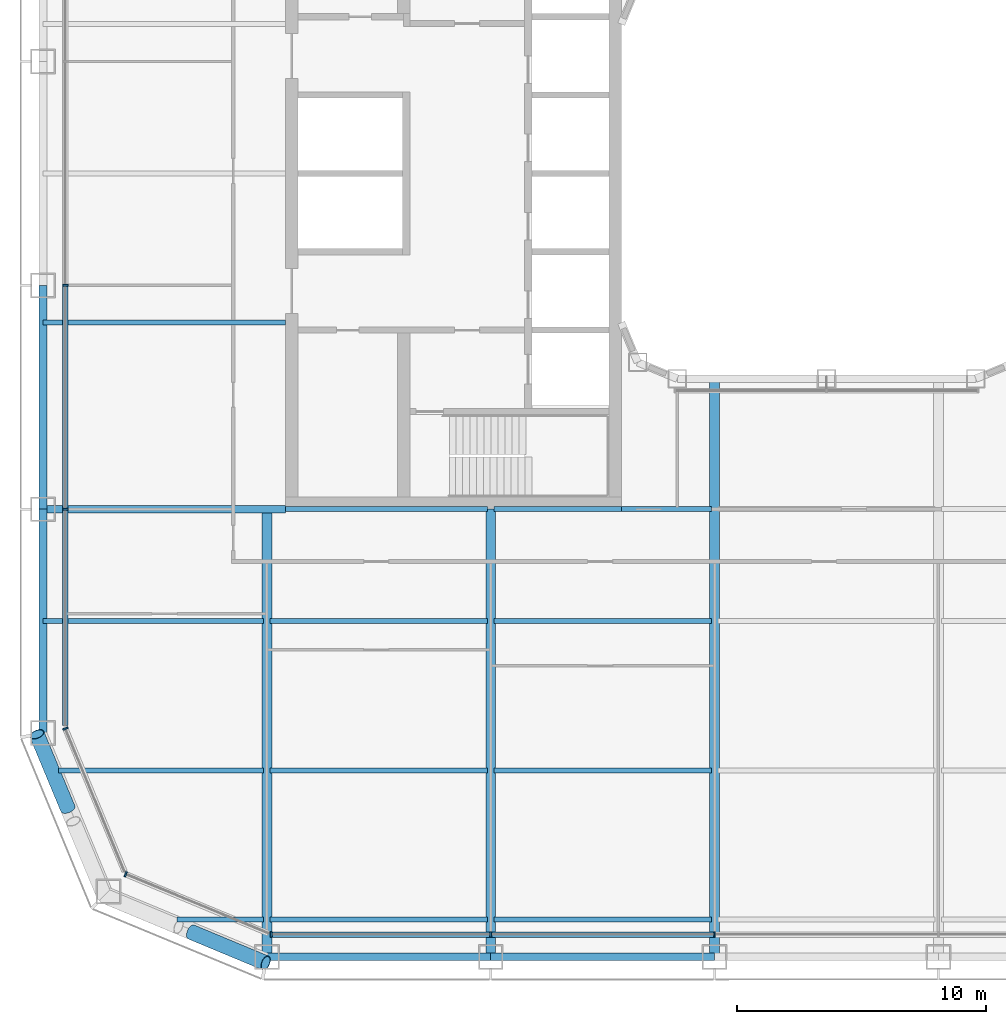
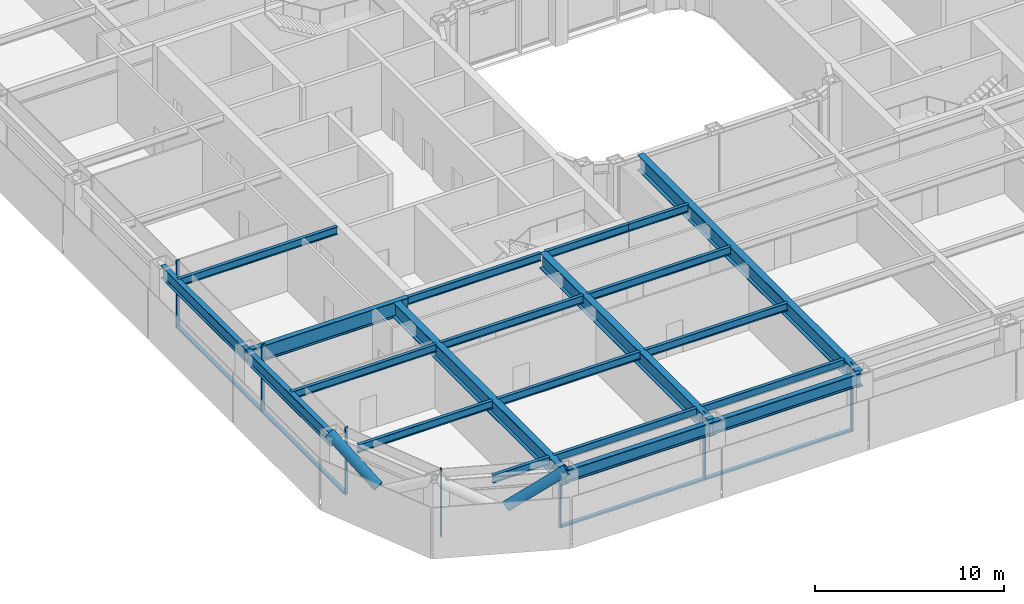
# One storey, part 2 of 30: 21 beams, 13 members, 4 elements without a shape of their own.
"""IFC4 building model written with IfcOpenShell, lengths in metres."""

import ifcopenshell
import ifcopenshell.guid

model = None  # the IFC model being written
_history = None  # IfcOwnerHistory: only IFC2X3 demands one
_inside = {}  # id of a spatial element -> (the spatial element, [elements in it])
_under = {}  # id of a project, library or spatial element -> (it, [spatial elements below it])
_declared = {}  # id of a project -> (the project, [libraries it declares])
_typed = {}  # id of a type object -> (the type object, [elements of that type])
_made_of = {}  # id of a material, layer set ... -> (it, [elements and type objects made of it])


def new_model(schema):
    """Start an empty IFC model of exactly this schema.

    Asked for "IFC4X3", IfcOpenShell would pick the latest addendum, in which some entities
    have other attributes; the version numbers below select the first issue.
    IFC2X3 requires an IfcOwnerHistory on every rooted entity: one is made here for all.
    """
    global model, _history
    if schema == "IFC4X3":
        model = ifcopenshell.file(schema_version=(4, 3, 0, 0))
    else:
        model = ifcopenshell.file(schema=schema)
    _inside.clear()
    _under.clear()
    _declared.clear()
    _typed.clear()
    _made_of.clear()
    _history = None
    if model.schema == "IFC2X3":
        org = make("IfcOrganization", Name="unknown")
        user = make(
            "IfcPersonAndOrganization",
            ThePerson=make("IfcPerson", FamilyName="unknown"),
            TheOrganization=org,
        )
        app = make(
            "IfcApplication",
            ApplicationDeveloper=org,
            Version="unknown",
            ApplicationFullName="unknown",
            ApplicationIdentifier="unknown",
        )
        _history = make(
            "IfcOwnerHistory",
            OwningUser=user,
            OwningApplication=app,
            ChangeAction="ADDED",
            CreationDate=0,
        )
    return model


def make(cls, **values):
    """One entity of the class cls with the attributes given. An attribute that is None is left unset."""
    return model.create_entity(
        cls, **{name: value for name, value in values.items() if value is not None}
    )


def rooted(cls, **values):
    """An entity with a GlobalId (a new one), such as an element, a storey or a relation."""
    return make(cls, GlobalId=ifcopenshell.guid.new(), OwnerHistory=_history, **values)


def si_unit(unit_type, name, prefix=None):
    """IfcSIUnit, for example si_unit("LENGTHUNIT", "METRE", prefix="MILLI")."""
    return make("IfcSIUnit", UnitType=unit_type, Prefix=prefix, Name=name)


def assignment(units):
    """IfcUnitAssignment: the units of a project."""
    return None if units is None else make("IfcUnitAssignment", Units=units)


def point(xyz):
    """IfcCartesianPoint."""
    return None if xyz is None else make("IfcCartesianPoint", Coordinates=xyz)


def direction(xyz):
    """IfcDirection."""
    return None if xyz is None else make("IfcDirection", DirectionRatios=xyz)


def frame(location, z_axis=None, x_axis=None):
    """IfcAxis2Placement3D, a coordinate frame: its origin and axes. An axis left out is left unset."""
    return make(
        "IfcAxis2Placement3D",
        Location=point(location),
        Axis=direction(z_axis),
        RefDirection=direction(x_axis),
    )


def frame_2d(location, x_axis=None):
    """IfcAxis2Placement2D, a coordinate frame in the plane: its origin and x axis."""
    return make(
        "IfcAxis2Placement2D", Location=point(location), RefDirection=direction(x_axis)
    )


def origin():
    """The frame at (0, 0, 0) with its axes left unset."""
    return frame((0.0, 0.0, 0.0))


def origin_2d():
    """The frame at (0, 0) in the plane with its x axis left unset."""
    return frame_2d((0.0, 0.0))


def place(relative_to, where):
    """IfcLocalPlacement: puts the frame where relative to a parent placement (None: the world)."""
    return make(
        "IfcLocalPlacement", PlacementRelTo=relative_to, RelativePlacement=where
    )


def context(
    kind, dimensions, precision=None, world=None, true_north=None, identifier=None
):
    """IfcGeometricRepresentationContext, for example the 3D "Model" context."""
    return make(
        "IfcGeometricRepresentationContext",
        ContextIdentifier=identifier,
        ContextType=kind,
        CoordinateSpaceDimension=dimensions,
        Precision=precision,
        WorldCoordinateSystem=world,
        TrueNorth=true_north,
    )


def subcontext(parent, identifier, kind, view, scale=None):
    """IfcGeometricRepresentationSubContext, for example "Body" below "Model"."""
    return make(
        "IfcGeometricRepresentationSubContext",
        ContextIdentifier=identifier,
        ContextType=kind,
        ParentContext=parent,
        TargetScale=scale,
        TargetView=view,
    )


def project(units=None, contexts=None):
    """IfcProject with its units and contexts."""
    return rooted(
        "IfcProject",
        Name="project",
        RepresentationContexts=contexts,
        UnitsInContext=assignment(units),
    )


def spatial(cls, under=None, at=None, **own):
    """A site, building, storey or space (cls), placed at a placement, below another one or the project."""
    s = rooted(cls, ObjectPlacement=at, **own)
    if under is not None:
        _under.setdefault(under.id(), (under, []))[1].append(s)
    return s


def profile(cls, at=None, kind="AREA", **sizes):
    """A parametric profile (cls). Its sizes go by their IFC names, for example OverallWidth=200.0."""
    return make(cls, ProfileType=kind, Position=at, **sizes)


def rectangle(**sizes):
    """IfcRectangleProfileDef."""
    return profile("IfcRectangleProfileDef", **sizes)


def hollow_circle(**sizes):
    """IfcCircleHollowProfileDef."""
    return profile("IfcCircleHollowProfileDef", **sizes)


def i_section(**sizes):
    """IfcIShapeProfileDef."""
    return profile("IfcIShapeProfileDef", **sizes)


def extrude(swept, where, along, depth):
    """IfcExtrudedAreaSolid: the profile swept, set in the frame where, extruded along a direction by depth."""
    return make(
        "IfcExtrudedAreaSolid",
        SweptArea=swept,
        Position=where,
        ExtrudedDirection=direction(along),
        Depth=depth,
    )


def shape(context_of_items, identifier, shape_type, items):
    """IfcShapeRepresentation: the items that make up one representation, for example the "Body"."""
    return make(
        "IfcShapeRepresentation",
        ContextOfItems=context_of_items,
        RepresentationIdentifier=identifier,
        RepresentationType=shape_type,
        Items=items,
    )


def material(Name=None, Category=None):
    """IfcMaterial."""
    return make("IfcMaterial", Name=Name, Category=Category)


def layer(
    of_material, thickness, ventilated=None, Name=None, Category=None, Priority=None
):
    """IfcMaterialLayer: one layer of a wall or slab, of a material (None: an air gap)."""
    return make(
        "IfcMaterialLayer",
        Material=of_material,
        LayerThickness=thickness,
        IsVentilated=ventilated,
        Name=Name,
        Category=Category,
        Priority=Priority,
    )


def layer_set(layers, Name=None):
    """IfcMaterialLayerSet."""
    return make("IfcMaterialLayerSet", MaterialLayers=layers, LayerSetName=Name)


def material_profile(
    of_material, cross_section, Name=None, Category=None, Priority=None
):
    """IfcMaterialProfile: a cross section and its material."""
    return make(
        "IfcMaterialProfile",
        Name=Name,
        Material=of_material,
        Profile=cross_section,
        Priority=Priority,
        Category=Category,
    )


def profile_set(profiles, Name=None, composite=None):
    """IfcMaterialProfileSet."""
    return make(
        "IfcMaterialProfileSet",
        Name=Name,
        MaterialProfiles=profiles,
        CompositeProfile=composite,
    )


def made_of(thing, what):
    """Note that an element or type object is made of a material, layer set ...; save() writes the relation."""
    if what is not None:
        _made_of.setdefault(what.id(), (what, []))[1].append(thing)
    return thing


def type_object(cls, material=None, **own):
    """A type object (cls), such as IfcWallType, which elements share."""
    return made_of(rooted(cls, **own), material)


def element(
    cls,
    number,
    at=None,
    inside=None,
    cuts=None,
    type_object=None,
    material=None,
    context=None,
    identifier="Body",
    shape_type=None,
    held_by="IfcProductDefinitionShape",
    body=None,
    shapes=None,
    **own,
):
    """One element of the class cls, such as IfcWall. Its Tag is "e" and its number.

    at: its placement. inside: the storey or other place that contains it. cuts: it is an
    opening in that element (IfcRelVoidsElement). A single representation is given by context,
    identifier, shape_type and body (its items); several are given by shapes. held_by: the class
    of the entity that holds the representations. save() writes the other relations.
    """
    e = rooted(cls, Tag="e%d" % number, ObjectPlacement=at, **own)
    if body is not None:
        shapes = [shape(context, identifier, shape_type, body)]
    if shapes is not None:
        e.Representation = make(held_by, Representations=shapes)
    if inside is not None:
        _inside.setdefault(inside.id(), (inside, []))[1].append(e)
    if cuts is not None:
        rooted(
            "IfcRelVoidsElement", RelatingBuildingElement=cuts, RelatedOpeningElement=e
        )
    if type_object is not None:
        _typed.setdefault(type_object.id(), (type_object, []))[1].append(e)
    return made_of(e, material)


def aggregate(whole, parts):
    """IfcRelAggregates: a whole, such as a stair, and the parts it consists of."""
    return rooted("IfcRelAggregates", RelatingObject=whole, RelatedObjects=parts)


def save(model, path):
    """Write the relations noted so far, then the file.

    IfcRelAggregates (storeys below a building ...), IfcRelContainedInSpatialStructure (elements
    in a storey), IfcRelDefinesByType, IfcRelAssociatesMaterial and IfcRelDeclares: one each for
    every whole, place, type object, material and project.
    """
    for whole, parts in _under.values():
        aggregate(whole, parts)
    for where, things in _inside.values():
        rooted(
            "IfcRelContainedInSpatialStructure",
            RelatedElements=things,
            RelatingStructure=where,
        )
    for kind, things in _typed.values():
        rooted("IfcRelDefinesByType", RelatedObjects=things, RelatingType=kind)
    for what, things in _made_of.values():
        rooted("IfcRelAssociatesMaterial", RelatedObjects=things, RelatingMaterial=what)
    for by, libraries in _declared.values():
        rooted("IfcRelDeclares", RelatingContext=by, RelatedDefinitions=libraries)
    model.write(path)


model = new_model("IFC4")

# Units and contexts
model_context = context("Model", 3, precision=1e-05, world=origin(), true_north=direction((0.0, 1.0)))
body_context = subcontext(model_context, "Body", "Model", "MODEL_VIEW")
ifc_project = project(units=[si_unit("LENGTHUNIT", "METRE"), si_unit("AREAUNIT", "SQUARE_METRE"), si_unit("VOLUMEUNIT", "CUBIC_METRE"), si_unit("PLANEANGLEUNIT", "RADIAN"), si_unit("MASSUNIT", "GRAM", prefix="KILO")], contexts=[model_context])

# Site, building, storey
site_placement = place(None, origin())
site = spatial("IfcSite", under=ifc_project, at=site_placement, CompositionType="ELEMENT")
building_placement = place(site_placement, origin())
building = spatial("IfcBuilding", under=site, at=building_placement, Name="Siwar Civic Tower", CompositionType="ELEMENT")
storey_placement = place(building_placement, frame((0.0, 0.0, 62.699951171875)))
storey = spatial("IfcBuildingStorey", under=building, at=storey_placement, Name="L13", CompositionType="ELEMENT", Elevation=62.699951171875)

# Curtain wall, members
ifc_material_1 = material(Name="Aluminium and glass", Category="aluminium")
ifc_layer_1 = layer(ifc_material_1, 0.219970703125)
ifc_layer_set_1 = layer_set([ifc_layer_1], Name="Aluminium and glass")
curtain_wall_type_1 = type_object("IfcCurtainWallType", Name="ENV-CW-A", PredefinedType="NOTDEFINED", material=ifc_layer_set_1)
curtain_wall_1_placement = place(storey_placement, origin())
curtain_wall_1 = element("IfcCurtainWall", 1, at=curtain_wall_1_placement, inside=storey, type_object=curtain_wall_type_1, Name="Curtain wall A S", PredefinedType="NOTDEFINED")
ifc_material_2 = material(Name="Aluminium 6063-T6", Category="aluminium")
ifc_material_profile_1 = material_profile(ifc_material_2, rectangle(XDim=0.219970703125, YDim=0.070068359375, at=origin_2d()), Name="AL 220x70")
ifc_profile_set_1 = profile_set([ifc_material_profile_1], Name="Aluminium 6063-T6")
member_type_1 = type_object("IfcMemberType", Name="ENV-MULLION-A", PredefinedType="MULLION", material=ifc_profile_set_1)
member_1_placement = place(storey_placement, frame((-22.321044921875, -30.60009765625, 0.0), z_axis=(0.0, 0.0, 1.0), x_axis=(0.0, 1.0, 0.0)))
member_1 = element("IfcMember", 2, at=member_1_placement, type_object=member_type_1, Name="Mullion A S 1", PredefinedType="MULLION", context=body_context, shape_type="SweptSolid", body=[
    extrude(rectangle(XDim=0.219970703125, YDim=0.070068359375, at=origin_2d()), origin(), (0.0, 0.0, 1.0), 4.35009765625),
])
member_2_placement = place(storey_placement, frame((-13.5, -30.60009765625, 0.0), z_axis=(0.0, 0.0, 1.0), x_axis=(0.0, 1.0, 0.0)))
member_2 = element("IfcMember", 3, at=member_2_placement, type_object=member_type_1, Name="Mullion A S 2", PredefinedType="MULLION", context=body_context, shape_type="SweptSolid", body=[
    extrude(rectangle(XDim=0.219970703125, YDim=0.070068359375, at=origin_2d()), origin(), (0.0, 0.0, 1.0), 4.35009765625),
])
member_3_placement = place(storey_placement, frame((-4.5, -30.60009765625, 0.0), z_axis=(0.0, 0.0, 1.0), x_axis=(0.0, 1.0, 0.0)))
member_3 = element("IfcMember", 4, at=member_3_placement, type_object=member_type_1, Name="Mullion A S 3", PredefinedType="MULLION", context=body_context, shape_type="SweptSolid", body=[
    extrude(rectangle(XDim=0.219970703125, YDim=0.070068359375, at=origin_2d()), origin(), (0.0, 0.0, 1.0), 4.35009765625),
])

curtain_wall_2_placement = place(storey_placement, origin())
curtain_wall_2 = element("IfcCurtainWall", 5, at=curtain_wall_2_placement, inside=storey, type_object=curtain_wall_type_1, Name="Curtain wall A W", PredefinedType="NOTDEFINED")
member_4_placement = place(storey_placement, frame((-30.60009765625, -4.5, 0.0), z_axis=(0.0, 0.0, 1.0), x_axis=(1.0, 0.0, 0.0)))
member_4 = element("IfcMember", 6, at=member_4_placement, type_object=member_type_1, Name="Mullion A W 4", PredefinedType="MULLION", context=body_context, shape_type="SweptSolid", body=[
    extrude(rectangle(XDim=0.219970703125, YDim=0.070068359375, at=origin_2d()), origin(), (0.0, 0.0, 1.0), 4.35009765625),
])
member_5_placement = place(storey_placement, frame((-30.60009765625, -13.5, 0.0), z_axis=(0.0, 0.0, 1.0), x_axis=(1.0, 0.0, 0.0)))
member_5 = element("IfcMember", 7, at=member_5_placement, type_object=member_type_1, Name="Mullion A W 5", PredefinedType="MULLION", context=body_context, shape_type="SweptSolid", body=[
    extrude(rectangle(XDim=0.219970703125, YDim=0.070068359375, at=origin_2d()), origin(), (0.0, 0.0, 1.0), 4.35009765625),
])

# Curtain wall, member
ifc_material_3 = material(Name="Aluminium clad insulated panel", Category="aluminium")
ifc_layer_2 = layer(ifc_material_3, 0.219970703125)
ifc_layer_set_2 = layer_set([ifc_layer_2], Name="Aluminium clad insulated panel")
curtain_wall_type_2 = type_object("IfcCurtainWallType", Name="ENV-CW-AX", PredefinedType="NOTDEFINED", material=ifc_layer_set_2)
curtain_wall_3_placement = place(storey_placement, origin())
curtain_wall_3 = element("IfcCurtainWall", 8, at=curtain_wall_3_placement, inside=storey, type_object=curtain_wall_type_2, Name="Curtain wall A SW1", PredefinedType="NOTDEFINED")
member_6_placement = place(storey_placement, frame((-30.60009765625, -22.321044921875, 0.0), z_axis=(0.0, 0.0, 1.0), x_axis=(0.923879532511, 0.382683432365, 0.0)))
member_6 = element("IfcMember", 9, at=member_6_placement, type_object=member_type_1, Name="Mullion A SW1 1", PredefinedType="MULLION", context=body_context, shape_type="SweptSolid", body=[
    extrude(rectangle(XDim=0.219970703125, YDim=0.070068359375, at=origin_2d()), origin(), (0.0, 0.0, 1.0), 4.35009765625),
])
aggregate(curtain_wall_3, [member_6])

curtain_wall_4_placement = place(storey_placement, origin())
curtain_wall_4 = element("IfcCurtainWall", 10, at=curtain_wall_4_placement, inside=storey, type_object=curtain_wall_type_2, Name="Curtain wall A SW2", PredefinedType="NOTDEFINED")
member_7_placement = place(storey_placement, frame((-28.175048828125, -28.175048828125, 0.0), z_axis=(0.0, 0.0, 1.0), x_axis=(0.382683432365, 0.923879532511, 0.0)))
member_7 = element("IfcMember", 11, at=member_7_placement, type_object=member_type_1, Name="Mullion A SW2 1", PredefinedType="MULLION", context=body_context, shape_type="SweptSolid", body=[
    extrude(rectangle(XDim=0.219970703125, YDim=0.070068359375, at=origin_2d()), origin(), (0.0, 0.0, 1.0), 4.35009765625),
])
aggregate(curtain_wall_4, [member_7])

# Member
ifc_material_4 = material(Name="Aluminium 6063-T6", Category="aluminium")
ifc_material_profile_2 = material_profile(ifc_material_4, rectangle(XDim=0.219970703125, YDim=0.1201171875, at=origin_2d()), Name="AL 220x120")
ifc_profile_set_2 = profile_set([ifc_material_profile_2], Name="Aluminium 6063-T6")
member_type_2 = type_object("IfcMemberType", Name="ENV-TRANSOM-A", PredefinedType="USERDEFINED", material=ifc_profile_set_2)
member_8_placement = place(storey_placement, frame((-22.285888671875, -30.60009765625, 0.06005859375), z_axis=(1.0, 0.0, 0.0), x_axis=(0.0, 1.0, 0.0)))
member_8 = element("IfcMember", 12, at=member_8_placement, type_object=member_type_2, Name="Transom A S 1", ObjectType="TRANSOM", PredefinedType="USERDEFINED", context=body_context, shape_type="SweptSolid", body=[
    extrude(rectangle(XDim=0.219970703125, YDim=0.1201171875, at=origin_2d()), origin(), (0.0, 0.0, 1.0), 8.7509765625),
])

member_9_placement = place(storey_placement, frame((-13.465087890625, -30.60009765625, 0.06005859375), z_axis=(1.0, 0.0, 0.0), x_axis=(0.0, 1.0, 0.0)))
member_9 = element("IfcMember", 13, at=member_9_placement, type_object=member_type_2, Name="Transom A S 2", ObjectType="TRANSOM", PredefinedType="USERDEFINED", context=body_context, shape_type="SweptSolid", body=[
    extrude(rectangle(XDim=0.219970703125, YDim=0.1201171875, at=origin_2d()), origin(), (0.0, 0.0, 1.0), 8.93017578125),
])

aggregate(curtain_wall_1, [member_1, member_2, member_3, member_8, member_9])

member_10_placement = place(storey_placement, frame((-30.60009765625, -4.534912109375, 0.06005859375), z_axis=(0.0, -1.0, 0.0), x_axis=(1.0, 0.0, 0.0)))
member_10 = element("IfcMember", 14, at=member_10_placement, type_object=member_type_2, Name="Transom A W 4", ObjectType="TRANSOM", PredefinedType="USERDEFINED", context=body_context, shape_type="SweptSolid", body=[
    extrude(rectangle(XDim=0.219970703125, YDim=0.1201171875, at=origin_2d()), origin(), (0.0, 0.0, 1.0), 8.93017578125),
])

member_11_placement = place(storey_placement, frame((-30.60009765625, -13.534912109375, 0.06005859375), z_axis=(0.0, -1.0, 0.0), x_axis=(1.0, 0.0, 0.0)))
member_11 = element("IfcMember", 15, at=member_11_placement, type_object=member_type_2, Name="Transom A W 5", ObjectType="TRANSOM", PredefinedType="USERDEFINED", context=body_context, shape_type="SweptSolid", body=[
    extrude(rectangle(XDim=0.219970703125, YDim=0.1201171875, at=origin_2d()), origin(), (0.0, 0.0, 1.0), 8.66357421875),
])

aggregate(curtain_wall_2, [member_4, member_5, member_10, member_11])

# Members
ifc_material_5 = material(Name="Steel S355", Category="steel")
ifc_material_profile_3 = material_profile(ifc_material_5, hollow_circle(Radius=0.304931640625, WallThickness=0.030029296875, at=origin_2d()), Name="CHS610x30")
ifc_profile_set_3 = profile_set([ifc_material_profile_3], Name="Steel S355")
member_type_3 = type_object("IfcMemberType", Name="STR-BR-CHS610x30", PredefinedType="BRACE", material=ifc_profile_set_3)
for number, where, z_axis, x_axis, name in (
    (16, (-25.537353515625, -30.500244140625, 2.428466796875), (0.777559680196, -0.3238932121, 0.53897507446), (0.384524353215, 0.923114847559, 0.0), "L13/brc/ASW1-12-0-3"),
    (17, (-30.500244140625, -25.537353515625, 2.428466796875), (-0.3238932121, 0.777559680196, 0.53897507446), (-0.923114847559, -0.384524353215, 0.0), "L13/brc/ASW1-12-0-5"),
):
    element("IfcMember", number, at=place(storey_placement, frame(where, z_axis=z_axis, x_axis=x_axis)), inside=storey, type_object=member_type_3, Name=name, PredefinedType="BRACE", context=body_context, shape_type="SweptSolid", body=[
        extrude(hollow_circle(Radius=0.304931640625, WallThickness=0.030029296875, at=origin_2d()), origin(), (0.0, 0.0, 1.0), 3.843505859375),
    ])

# Beams
ifc_material_6 = material(Name="Steel S355", Category="steel")
ifc_material_profile_4 = material_profile(ifc_material_6, i_section(OverallWidth=0.199951171875, OverallDepth=0.5, WebThickness=0.01025390625, FlangeThickness=0.01611328125, FilletRadius=0.02099609375, at=origin_2d()), Name="IPE500")
ifc_profile_set_4 = profile_set([ifc_material_profile_4], Name="Steel S355")
beam_type_1 = type_object("IfcBeamType", Name="STR-FB-IPE500", PredefinedType="JOIST", material=ifc_profile_set_4)
beam_1_placement = place(storey_placement, frame((-26.121337890625, -30.0, 4.10009765625), z_axis=(1.0, 0.0, 0.0), x_axis=(0.0, 1.0, 0.0)))
element("IfcBeam", 18, at=beam_1_placement, inside=storey, type_object=beam_type_1, Name="L13/bm/F001", PredefinedType="JOIST", context=body_context, shape_type="SweptSolid", body=[
    extrude(i_section(OverallWidth=0.199951171875, OverallDepth=0.5, WebThickness=0.01025390625, FlangeThickness=0.01611328125, FilletRadius=0.02099609375, at=origin_2d()), origin(), (0.0, 0.0, 1.0), 3.491455078125),
])
for number, where, z_axis, x_axis, name in (
    (19, (-22.3701171875, -30.0, 4.10009765625), (1.0, 0.0, 0.0), (0.0, 1.0, 0.0), "L13/bm/F002"),
    (20, (-13.3701171875, -30.0, 4.10009765625), (1.0, 0.0, 0.0), (0.0, 1.0, 0.0), "L13/bm/F003"),
):
    element("IfcBeam", number, at=place(storey_placement, frame(where, z_axis=z_axis, x_axis=x_axis)), inside=storey, type_object=beam_type_1, Name=name, PredefinedType="JOIST", context=body_context, shape_type="SweptSolid", body=[
        extrude(i_section(OverallWidth=0.199951171875, OverallDepth=0.5, WebThickness=0.01025390625, FlangeThickness=0.01611328125, FilletRadius=0.02099609375, at=origin_2d()), origin(), (0.0, 0.0, 1.0), 8.740234375),
    ])
beam_2_placement = place(storey_placement, frame((-30.878662109375, -24.0, 4.10009765625), z_axis=(1.0, 0.0, 0.0), x_axis=(0.0, 1.0, 0.0)))
element("IfcBeam", 21, at=beam_2_placement, inside=storey, type_object=beam_type_1, Name="L13/bm/F008", PredefinedType="JOIST", context=body_context, shape_type="SweptSolid", body=[
    extrude(i_section(OverallWidth=0.199951171875, OverallDepth=0.5, WebThickness=0.01025390625, FlangeThickness=0.01611328125, FilletRadius=0.02099609375, at=origin_2d()), origin(), (0.0, 0.0, 1.0), 8.248779296875),
])
for number, where, z_axis, x_axis, name in (
    (22, (-22.3701171875, -24.0, 4.10009765625), (1.0, 0.0, 0.0), (0.0, 1.0, 0.0), "L13/bm/F009"),
    (23, (-13.3701171875, -24.0, 4.10009765625), (1.0, 0.0, 0.0), (0.0, 1.0, 0.0), "L13/bm/F010"),
):
    element("IfcBeam", number, at=place(storey_placement, frame(where, z_axis=z_axis, x_axis=x_axis)), inside=storey, type_object=beam_type_1, Name=name, PredefinedType="JOIST", context=body_context, shape_type="SweptSolid", body=[
        extrude(i_section(OverallWidth=0.199951171875, OverallDepth=0.5, WebThickness=0.01025390625, FlangeThickness=0.01611328125, FilletRadius=0.02099609375, at=origin_2d()), origin(), (0.0, 0.0, 1.0), 8.740234375),
    ])
beam_3_placement = place(storey_placement, frame((-31.5, -18.0, 4.10009765625), z_axis=(1.0, 0.0, 0.0), x_axis=(0.0, 1.0, 0.0)))
element("IfcBeam", 24, at=beam_3_placement, inside=storey, type_object=beam_type_1, Name="L13/bm/F015", PredefinedType="JOIST", context=body_context, shape_type="SweptSolid", body=[
    extrude(i_section(OverallWidth=0.199951171875, OverallDepth=0.5, WebThickness=0.01025390625, FlangeThickness=0.01611328125, FilletRadius=0.02099609375, at=origin_2d()), origin(), (0.0, 0.0, 1.0), 8.8701171875),
])
for number, where, z_axis, x_axis, name in (
    (25, (-22.3701171875, -18.0, 4.10009765625), (1.0, 0.0, 0.0), (0.0, 1.0, 0.0), "L13/bm/F016"),
    (26, (-13.3701171875, -18.0, 4.10009765625), (1.0, 0.0, 0.0), (0.0, 1.0, 0.0), "L13/bm/F017"),
):
    element("IfcBeam", number, at=place(storey_placement, frame(where, z_axis=z_axis, x_axis=x_axis)), inside=storey, type_object=beam_type_1, Name=name, PredefinedType="JOIST", context=body_context, shape_type="SweptSolid", body=[
        extrude(i_section(OverallWidth=0.199951171875, OverallDepth=0.5, WebThickness=0.01025390625, FlangeThickness=0.01611328125, FilletRadius=0.02099609375, at=origin_2d()), origin(), (0.0, 0.0, 1.0), 8.740234375),
    ])
beam_4_placement = place(storey_placement, frame((-21.75, -13.5, 4.10009765625), z_axis=(1.0, 0.0, 0.0), x_axis=(0.0, 1.0, 0.0)))
element("IfcBeam", 27, at=beam_4_placement, inside=storey, type_object=beam_type_1, Name="L13/bm/F023", PredefinedType="JOIST", context=body_context, shape_type="SweptSolid", body=[
    extrude(i_section(OverallWidth=0.199951171875, OverallDepth=0.5, WebThickness=0.01025390625, FlangeThickness=0.01611328125, FilletRadius=0.02099609375, at=origin_2d()), origin(), (0.0, 0.0, 1.0), 8.1201171875),
])
beam_5_placement = place(storey_placement, frame((-13.3701171875, -13.5, 4.10009765625), z_axis=(1.0, 0.0, 0.0), x_axis=(0.0, 1.0, 0.0)))
element("IfcBeam", 28, at=beam_5_placement, inside=storey, type_object=beam_type_1, Name="L13/bm/F024", PredefinedType="JOIST", context=body_context, shape_type="SweptSolid", body=[
    extrude(i_section(OverallWidth=0.199951171875, OverallDepth=0.5, WebThickness=0.01025390625, FlangeThickness=0.01611328125, FilletRadius=0.02099609375, at=origin_2d()), origin(), (0.0, 0.0, 1.0), 5.1201171875),
])
beam_6_placement = place(storey_placement, frame((-8.25, -13.5, 4.10009765625), z_axis=(1.0, 0.0, 0.0), x_axis=(0.0, 1.0, 0.0)))
element("IfcBeam", 29, at=beam_6_placement, inside=storey, type_object=beam_type_1, Name="L13/bm/F025", PredefinedType="JOIST", context=body_context, shape_type="SweptSolid", body=[
    extrude(i_section(OverallWidth=0.199951171875, OverallDepth=0.5, WebThickness=0.01025390625, FlangeThickness=0.01611328125, FilletRadius=0.02099609375, at=origin_2d()), origin(), (0.0, 0.0, 1.0), 3.6201171875),
])
beam_7_placement = place(storey_placement, frame((-31.5, -6.0, 4.10009765625), z_axis=(1.0, 0.0, 0.0), x_axis=(0.0, 1.0, 0.0)))
element("IfcBeam", 30, at=beam_7_placement, inside=storey, type_object=beam_type_1, Name="L13/bm/F031", PredefinedType="JOIST", context=body_context, shape_type="SweptSolid", body=[
    extrude(i_section(OverallWidth=0.199951171875, OverallDepth=0.5, WebThickness=0.01025390625, FlangeThickness=0.01611328125, FilletRadius=0.02099609375, at=origin_2d()), origin(), (0.0, 0.0, 1.0), 9.75),
])
ifc_material_7 = material(Name="Steel S355", Category="steel")
ifc_material_profile_5 = material_profile(ifc_material_7, i_section(OverallWidth=0.300048828125, OverallDepth=1.0, WebThickness=0.01904296875, FlangeThickness=0.035888671875, FilletRadius=0.030029296875, at=origin_2d()), Name="HEB1000")
ifc_profile_set_5 = profile_set([ifc_material_profile_5], Name="Steel S355")
beam_type_2 = type_object("IfcBeamType", Name="STR-PG-HEB1000", PredefinedType="BEAM", material=ifc_profile_set_5)
beam_8_placement = place(storey_placement, frame((-31.5, -13.5, 3.85009765625), z_axis=(1.0, 0.0, 0.0), x_axis=(0.0, 1.0, 0.0)))
element("IfcBeam", 31, at=beam_8_placement, inside=storey, type_object=beam_type_2, Name="L13/bm/F022", PredefinedType="BEAM", context=body_context, shape_type="SweptSolid", body=[
    extrude(i_section(OverallWidth=0.300048828125, OverallDepth=1.0, WebThickness=0.01904296875, FlangeThickness=0.035888671875, FilletRadius=0.030029296875, at=origin_2d()), origin(), (0.0, 0.0, 1.0), 9.75),
])
ifc_material_8 = material(Name="Steel S355", Category="steel")
ifc_material_profile_6 = material_profile(ifc_material_8, i_section(OverallWidth=0.39990234375, OverallDepth=1.0, WebThickness=0.01611328125, FlangeThickness=0.0400390625, at=origin_2d()), Name="PG1000x400x16x40")
ifc_profile_set_6 = profile_set([ifc_material_profile_6], Name="Steel S355")
beam_type_3 = type_object("IfcBeamType", Name="STR-PG-PG1000x400x16x40", PredefinedType="BEAM", material=ifc_profile_set_6)
for number, where, z_axis, x_axis, name in (
    (32, (-22.5, -31.5, 3.85009765625), (0.0, 1.0, 0.0), (-1.0, 0.0, 0.0), "L13/bm/G01"),
    (33, (-13.5, -31.5, 3.85009765625), (0.0, 1.0, 0.0), (-1.0, 0.0, 0.0), "L13/bm/G03"),
):
    element("IfcBeam", number, at=place(storey_placement, frame(where, z_axis=z_axis, x_axis=x_axis)), inside=storey, type_object=beam_type_3, Name=name, PredefinedType="BEAM", context=body_context, shape_type="SweptSolid", body=[
        extrude(i_section(OverallWidth=0.39990234375, OverallDepth=1.0, WebThickness=0.01611328125, FlangeThickness=0.0400390625, at=origin_2d()), origin(), (0.0, 0.0, 1.0), 18.0),
    ])
beam_9_placement = place(storey_placement, frame((-4.5, -31.5, 3.85009765625), z_axis=(0.0, 1.0, 0.0), x_axis=(-1.0, 0.0, 0.0)))
element("IfcBeam", 34, at=beam_9_placement, inside=storey, type_object=beam_type_3, Name="L13/bm/G05", PredefinedType="BEAM", context=body_context, shape_type="SweptSolid", body=[
    extrude(i_section(OverallWidth=0.39990234375, OverallDepth=1.0, WebThickness=0.01611328125, FlangeThickness=0.0400390625, at=origin_2d()), origin(), (0.0, 0.0, 1.0), 23.25),
])
ifc_material_9 = material(Name="Steel S355", Category="steel")
ifc_material_profile_7 = material_profile(ifc_material_9, i_section(OverallWidth=0.302978515625, OverallDepth=0.81396484375, WebThickness=0.02099609375, FlangeThickness=0.0400390625, FilletRadius=0.030029296875, at=origin_2d()), Name="HEM800")
ifc_profile_set_7 = profile_set([ifc_material_profile_7], Name="Steel S355")
beam_type_4 = type_object("IfcBeamType", Name="STR-SB-HEM800", PredefinedType="BEAM", material=ifc_profile_set_7)
for number, where, z_axis, x_axis, name in (
    (35, (-22.5, -31.5, 3.943115234375), (1.0, 0.0, 0.0), (0.0, 1.0, 0.0), "L13/bm/SS-0"),
    (36, (-13.5, -31.5, 3.943115234375), (1.0, 0.0, 0.0), (0.0, 1.0, 0.0), "L13/bm/SS-1"),
    (37, (-31.5, -4.5, 3.943115234375), (0.0, -1.0, 0.0), (1.0, 0.0, 0.0), "L13/bm/SW-3"),
    (38, (-31.5, -13.5, 3.943115234375), (0.0, -1.0, 0.0), (1.0, 0.0, 0.0), "L13/bm/SW-4"),
):
    element("IfcBeam", number, at=place(storey_placement, frame(where, z_axis=z_axis, x_axis=x_axis)), inside=storey, type_object=beam_type_4, Name=name, PredefinedType="BEAM", context=body_context, shape_type="SweptSolid", body=[
        extrude(i_section(OverallWidth=0.302978515625, OverallDepth=0.81396484375, WebThickness=0.02099609375, FlangeThickness=0.0400390625, FilletRadius=0.030029296875, at=origin_2d()), origin(), (0.0, 0.0, 1.0), 9.0),
    ])

save(model, "model.ifc")
